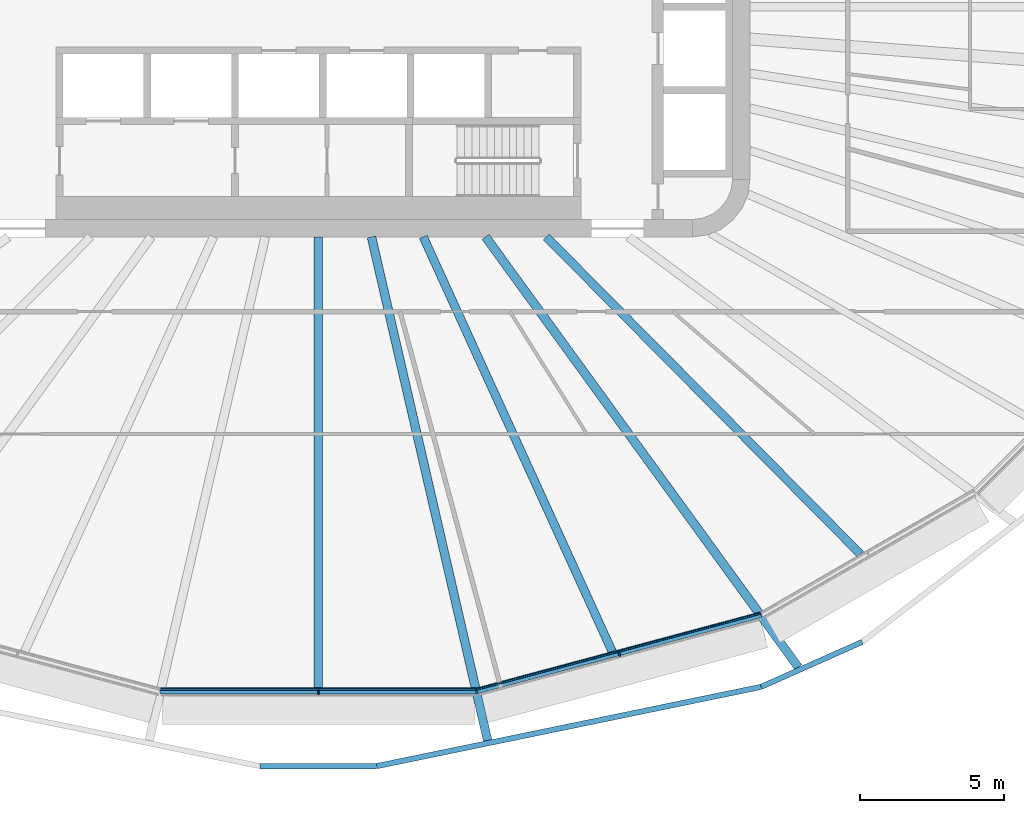
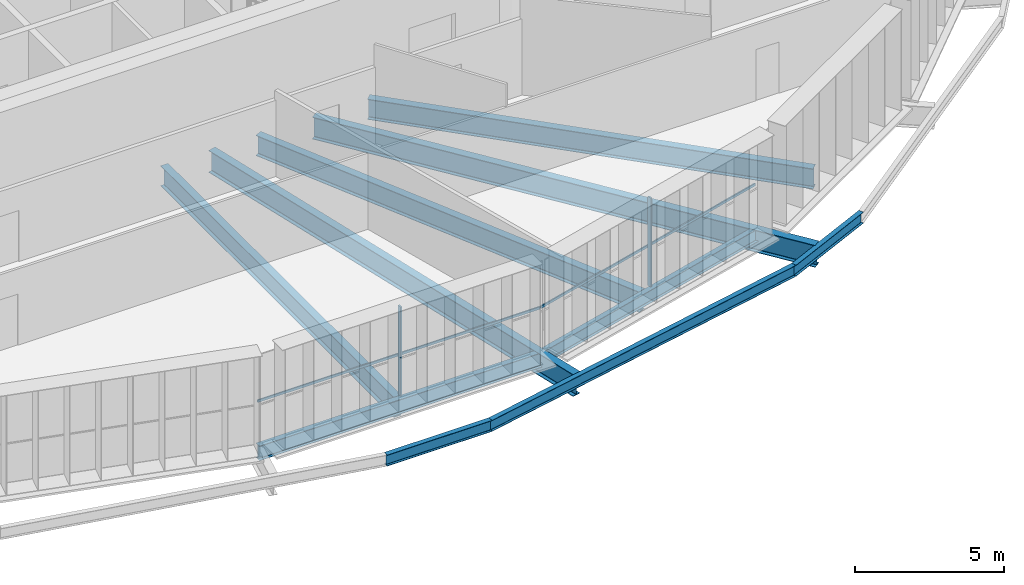
# One storey, part 4 of 24: 10 beams, 4 members, 2 elements without a shape of their own.
"""IFC4 building model written with IfcOpenShell, lengths in metres."""

from ifc_helpers import new_model, si_unit, direction, frame, origin, origin_2d, place, context, subcontext, project, spatial, rectangle, i_section, extrude, material, layer, layer_set, material_profile, profile_set, type_object, element, aggregate, save


model = new_model("IFC4")

# Units and contexts
model_context = context("Model", 3, precision=1e-05, world=origin(), true_north=direction((0.0, 1.0)))
body_context = subcontext(model_context, "Body", "Model", "MODEL_VIEW")
ifc_project = project(units=[si_unit("LENGTHUNIT", "METRE"), si_unit("AREAUNIT", "SQUARE_METRE"), si_unit("VOLUMEUNIT", "CUBIC_METRE"), si_unit("PLANEANGLEUNIT", "RADIAN"), si_unit("MASSUNIT", "GRAM", prefix="KILO")], contexts=[model_context])

# Site, building, storey
site_placement = place(None, origin())
site = spatial("IfcSite", under=ifc_project, at=site_placement, CompositionType="ELEMENT")
building_placement = place(site_placement, origin())
building = spatial("IfcBuilding", under=site, at=building_placement, Name="Sahrelin Media Tower", CompositionType="ELEMENT")
storey_placement = place(building_placement, frame((0.0, 0.0, 118.800048828125)))
storey = spatial("IfcBuildingStorey", under=building, at=storey_placement, Name="L23", CompositionType="ELEMENT", Elevation=118.800048828125)

# Beams
ifc_material_1 = material(Name="Steel S355", Category="steel")
ifc_material_profile_1 = material_profile(ifc_material_1, i_section(OverallWidth=0.208740234375, OverallDepth=0.5283203125, WebThickness=0.009521484375, FlangeThickness=0.01318359375, FilletRadius=0.0126953125, at=origin_2d()), Name="UB 533x210x82")
ifc_profile_set_1 = profile_set([ifc_material_profile_1], Name="Steel S355")
beam_type_1 = type_object("IfcBeamType", Name="Edge beam EB6", PredefinedType="BEAM", material=ifc_profile_set_1)
beam_1_placement = place(storey_placement, frame((15.382080078125, -21.13134765625, -0.414306640625), z_axis=(-0.965930023505, -0.258803380373, 0.0), x_axis=(0.258803380373, -0.965930023505, 0.0)))
element("IfcBeam", 1, at=beam_1_placement, inside=storey, type_object=beam_type_1, Name="Edge beam L23-06", PredefinedType="BEAM", context=body_context, shape_type="SweptSolid", body=[
    extrude(i_section(OverallWidth=0.208740234375, OverallDepth=0.5283203125, WebThickness=0.009521484375, FlangeThickness=0.01318359375, FilletRadius=0.0126953125, at=origin_2d()), origin(), (0.0, 0.0, 1.0), 10.215576171875),
])
ifc_material_profile_2 = material_profile(ifc_material_1, i_section(OverallWidth=0.2275390625, OverallDepth=0.6025390625, WebThickness=0.010498046875, FlangeThickness=0.014892578125, FilletRadius=0.0126953125, at=origin_2d()), Name="UB 610x229x101")
ifc_profile_set_2 = profile_set([ifc_material_profile_2], Name="Steel S355")
beam_type_2 = type_object("IfcBeamType", Name="Edge beam EB7", PredefinedType="BEAM", material=ifc_profile_set_2)
beam_2_placement = place(storey_placement, frame((5.486083984375, -23.779052734375, -0.451416015625), z_axis=(-1.0, 0.0, 0.0), x_axis=(0.0, -1.0, 0.0)))
element("IfcBeam", 2, at=beam_2_placement, inside=storey, type_object=beam_type_2, Name="Edge beam L23-07", PredefinedType="BEAM", context=body_context, shape_type="SweptSolid", body=[
    extrude(i_section(OverallWidth=0.2275390625, OverallDepth=0.6025390625, WebThickness=0.010498046875, FlangeThickness=0.014892578125, FilletRadius=0.0126953125, at=origin_2d()), origin(), (0.0, 0.0, 1.0), 10.97216796875),
])

# Curtain wall, member
ifc_material_2 = material(Name="Champagne anodised aluminium 6063-T6", Category="aluminium")
ifc_layer = layer(ifc_material_2, 0.14990234375)
ifc_layer_set = layer_set([ifc_layer], Name="Tower ribbon curtain wall")
curtain_wall_type = type_object("IfcCurtainWallType", Name="Tower ribbon curtain wall", PredefinedType="NOTDEFINED", material=ifc_layer_set)
curtain_wall_1_placement = place(storey_placement, frame((0.0, -23.928955078125, 0.0), z_axis=(0.0, 0.0, 1.0), x_axis=(1.0, 0.0, 0.0)))
curtain_wall_1 = element("IfcCurtainWall", 3, at=curtain_wall_1_placement, inside=storey, type_object=curtain_wall_type, Name="L23:CW:L23-18", PredefinedType="NOTDEFINED")
ifc_material_profile_3 = material_profile(ifc_material_2, rectangle(XDim=0.06005859375, YDim=0.14990234375, at=origin_2d()), Name="Mullion 60x150")
ifc_profile_set_3 = profile_set([ifc_material_profile_3], Name="Champagne anodised aluminium 6063-T6")
member_type_1 = type_object("IfcMemberType", Name="Mullion 60x150 CW1", PredefinedType="MULLION", material=ifc_profile_set_3)
member_1_placement = place(storey_placement, frame((0.0, -23.833984375, 0.0), z_axis=(0.0, 0.0, 1.0), x_axis=(1.0, 0.0, 0.0)))
member_1 = element("IfcMember", 4, at=member_1_placement, type_object=member_type_1, Name="L23:CWM:L23-18", PredefinedType="MULLION", context=body_context, shape_type="SweptSolid", body=[
    extrude(rectangle(XDim=0.06005859375, YDim=0.14990234375, at=origin_2d()), origin(), (0.0, 0.0, 1.0), 3.6484375),
])

curtain_wall_2_placement = place(storey_placement, frame((10.487060546875, -22.59814453125, 0.0), z_axis=(0.0, 0.0, 1.0), x_axis=(1.0, 0.0, 0.0)))
curtain_wall_2 = element("IfcCurtainWall", 5, at=curtain_wall_2_placement, inside=storey, type_object=curtain_wall_type, Name="L23:CW:L23-19", PredefinedType="NOTDEFINED")
member_2_placement = place(storey_placement, frame((10.46240234375, -22.50634765625, 0.0), z_axis=(0.0, 0.0, 1.0), x_axis=(0.965925826289, 0.258819045103, 0.0)))
member_2 = element("IfcMember", 6, at=member_2_placement, type_object=member_type_1, Name="L23:CWM:L23-19", PredefinedType="MULLION", context=body_context, shape_type="SweptSolid", body=[
    extrude(rectangle(XDim=0.06005859375, YDim=0.14990234375, at=origin_2d()), origin(), (0.0, 0.0, 1.0), 3.6484375),
])

# Beams
ifc_material_profile_4 = material_profile(ifc_material_1, i_section(OverallWidth=0.30322265625, OverallDepth=0.903076171875, WebThickness=0.01513671875, FlangeThickness=0.020263671875, FilletRadius=0.01904296875, at=origin_2d()), Name="UB 914x305x201")
ifc_profile_set_4 = profile_set([ifc_material_profile_4], Name="Steel S355")
beam_type_3 = type_object("IfcBeamType", Name="Radial primary beam PB11", PredefinedType="BEAM", material=ifc_profile_set_4)
beam_3_placement = place(storey_placement, frame((1.845703125, -8.0, -0.6015625), z_axis=(0.224782082917, -0.974409059481, 0.0), x_axis=(0.974409059481, 0.224782082917, 0.0)))
element("IfcBeam", 7, at=beam_3_placement, inside=storey, type_object=beam_type_3, Name="Radial beam L23-19", PredefinedType="BEAM", context=body_context, shape_type="SweptSolid", body=[
    extrude(i_section(OverallWidth=0.30322265625, OverallDepth=0.903076171875, WebThickness=0.01513671875, FlangeThickness=0.020263671875, FilletRadius=0.01904296875, at=origin_2d()), origin(), (0.0, 0.0, 1.0), 17.96337890625),
])
beam_4_placement = place(storey_placement, frame((5.813232421875, -8.0, -0.6015625), z_axis=(0.587841187642, -0.80897635201, 0.0), x_axis=(0.80897635201, 0.587841187642, 0.0)))
element("IfcBeam", 8, at=beam_4_placement, inside=storey, type_object=beam_type_3, Name="Radial beam L23-20", PredefinedType="BEAM", context=body_context, shape_type="SweptSolid", body=[
    extrude(i_section(OverallWidth=0.30322265625, OverallDepth=0.903076171875, WebThickness=0.01513671875, FlangeThickness=0.020263671875, FilletRadius=0.01904296875, at=origin_2d()), origin(), (0.0, 0.0, 1.0), 18.49365234375),
])
ifc_material_profile_5 = material_profile(ifc_material_1, i_section(OverallWidth=0.291748046875, OverallDepth=0.8349609375, WebThickness=0.013916015625, FlangeThickness=0.018798828125, FilletRadius=0.017822265625, at=origin_2d()), Name="UB 838x292x176")
ifc_profile_set_5 = profile_set([ifc_material_profile_5], Name="Steel S355")
beam_type_4 = type_object("IfcBeamType", Name="Radial secondary beam SB10", PredefinedType="BEAM", material=ifc_profile_set_5)
beam_5_placement = place(storey_placement, frame((0.0, -8.0, -0.567626953125), z_axis=(0.0, -1.0, 0.0), x_axis=(1.0, 0.0, 0.0)))
element("IfcBeam", 9, at=beam_5_placement, inside=storey, type_object=beam_type_4, Name="Secondary beam L23-18", PredefinedType="BEAM", context=body_context, shape_type="SweptSolid", body=[
    extrude(i_section(OverallWidth=0.291748046875, OverallDepth=0.8349609375, WebThickness=0.013916015625, FlangeThickness=0.018798828125, FilletRadius=0.017822265625, at=origin_2d()), origin(), (0.0, 0.0, 1.0), 15.665283203125),
])
beam_6_placement = place(storey_placement, frame((3.6455078125, -8.0, -0.567626953125), z_axis=(0.41464150741, -0.909984846211, 0.0), x_axis=(0.909984846211, 0.41464150741, 0.0)))
element("IfcBeam", 10, at=beam_6_placement, inside=storey, type_object=beam_type_4, Name="Secondary beam L23-19", PredefinedType="BEAM", context=body_context, shape_type="SweptSolid", body=[
    extrude(i_section(OverallWidth=0.291748046875, OverallDepth=0.8349609375, WebThickness=0.013916015625, FlangeThickness=0.018798828125, FilletRadius=0.017822265625, at=origin_2d()), origin(), (0.0, 0.0, 1.0), 15.833984375),
])
beam_7_placement = place(storey_placement, frame((7.922119140625, -8.0, -0.567626953125), z_axis=(0.703629599275, -0.710566947601, 0.0), x_axis=(0.710566947601, 0.703629599275, 0.0)))
element("IfcBeam", 11, at=beam_7_placement, inside=storey, type_object=beam_type_4, Name="Secondary beam L23-20", PredefinedType="BEAM", context=body_context, shape_type="SweptSolid", body=[
    extrude(i_section(OverallWidth=0.291748046875, OverallDepth=0.8349609375, WebThickness=0.013916015625, FlangeThickness=0.018798828125, FilletRadius=0.017822265625, at=origin_2d()), origin(), (0.0, 0.0, 1.0), 15.519775390625),
])
ifc_material_profile_6 = material_profile(ifc_material_1, i_section(OverallWidth=0.1904296875, OverallDepth=0.45703125, WebThickness=0.009033203125, FlangeThickness=0.014404296875, FilletRadius=0.01025390625, at=origin_2d()), Name="UB 457x191x74")
ifc_profile_set_6 = profile_set([ifc_material_profile_6], Name="Steel S355")
beam_type_5 = type_object("IfcBeamType", Name="Tie chord TC5", PredefinedType="BEAM", material=ifc_profile_set_6)
beam_8_placement = place(storey_placement, frame((-2.028076171875, -26.39599609375, -0.378662109375), z_axis=(1.0, 0.0, 0.0), x_axis=(0.0, 1.0, 0.0)))
element("IfcBeam", 12, at=beam_8_placement, inside=storey, type_object=beam_type_5, Name="Tie chord L23-18", PredefinedType="BEAM", context=body_context, shape_type="SweptSolid", body=[
    extrude(i_section(OverallWidth=0.1904296875, OverallDepth=0.45703125, WebThickness=0.009033203125, FlangeThickness=0.014404296875, FilletRadius=0.01025390625, at=origin_2d()), origin(), (0.0, 0.0, 1.0), 4.05615234375),
])
beam_9_placement = place(storey_placement, frame((2.028076171875, -26.39599609375, -0.378662109375), z_axis=(0.979388276692, 0.20198664183, 0.0), x_axis=(-0.20198664183, 0.979388276692, 0.0)))
element("IfcBeam", 13, at=beam_9_placement, inside=storey, type_object=beam_type_5, Name="Tie chord L23-19", PredefinedType="BEAM", context=body_context, shape_type="SweptSolid", body=[
    extrude(i_section(OverallWidth=0.1904296875, OverallDepth=0.45703125, WebThickness=0.009033203125, FlangeThickness=0.014404296875, FilletRadius=0.01025390625, at=origin_2d()), origin(), (0.0, 0.0, 1.0), 13.643798828125),
])
beam_10_placement = place(storey_placement, frame((15.390625, -23.64013671875, -0.378662109375), z_axis=(0.913827262531, 0.406103107911, 0.0), x_axis=(-0.406103107911, 0.913827262531, 0.0)))
element("IfcBeam", 14, at=beam_10_placement, inside=storey, type_object=beam_type_5, Name="Tie chord L23-20", PredefinedType="BEAM", context=body_context, shape_type="SweptSolid", body=[
    extrude(i_section(OverallWidth=0.1904296875, OverallDepth=0.45703125, WebThickness=0.009033203125, FlangeThickness=0.014404296875, FilletRadius=0.01025390625, at=origin_2d()), origin(), (0.0, 0.0, 1.0), 3.843994140625),
])

# Member
ifc_material_profile_7 = material_profile(ifc_material_2, rectangle(XDim=0.050048828125, YDim=0.10009765625, at=origin_2d()), Name="Transom 50x100")
ifc_profile_set_7 = profile_set([ifc_material_profile_7], Name="Champagne anodised aluminium 6063-T6")
member_type_2 = type_object("IfcMemberType", Name="Transom 50x100 CW1", PredefinedType="USERDEFINED", material=ifc_profile_set_7)
member_3_placement = place(storey_placement, frame((-5.47021484375, -23.73388671875, 1.599853515625), z_axis=(1.0, 0.0, 0.0), x_axis=(0.0, 1.0, 0.0)))
member_3 = element("IfcMember", 15, at=member_3_placement, type_object=member_type_2, Name="L23:CWT:L23-18", ObjectType="TRANSOM", PredefinedType="USERDEFINED", context=body_context, shape_type="SweptSolid", body=[
    extrude(rectangle(XDim=0.050048828125, YDim=0.10009765625, at=origin_2d()), origin(), (0.0, 0.0, 1.0), 10.9404296875),
])

aggregate(curtain_wall_1, [member_1, member_3])

member_4_placement = place(storey_placement, frame((5.51806640625, -23.727783203125, 1.599853515625), z_axis=(0.965921084631, 0.258836740563, 0.0), x_axis=(-0.258836740563, 0.965921084631, 0.0)))
member_4 = element("IfcMember", 16, at=member_4_placement, type_object=member_type_2, Name="L23:CWT:L23-19", ObjectType="TRANSOM", PredefinedType="USERDEFINED", context=body_context, shape_type="SweptSolid", body=[
    extrude(rectangle(XDim=0.050048828125, YDim=0.10009765625, at=origin_2d()), origin(), (0.0, 0.0, 1.0), 10.18408203125),
])

aggregate(curtain_wall_2, [member_2, member_4])

save(model, "model.ifc")
